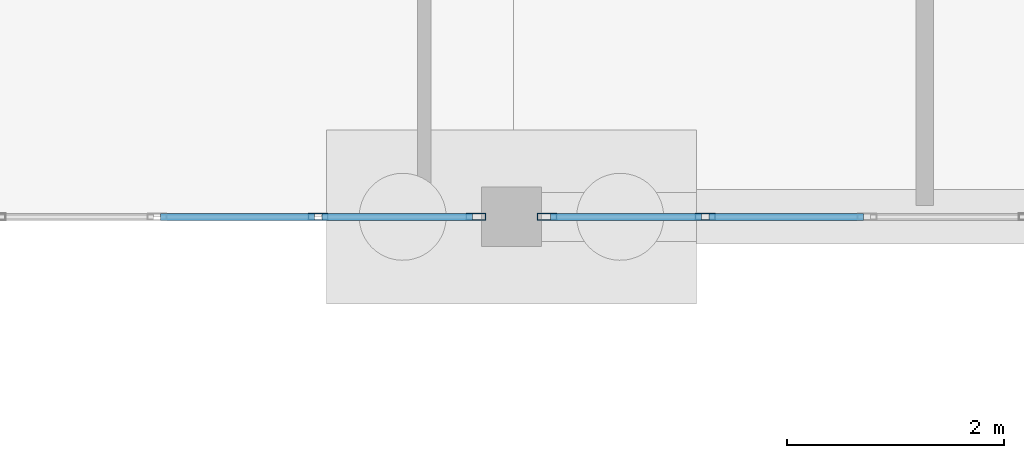
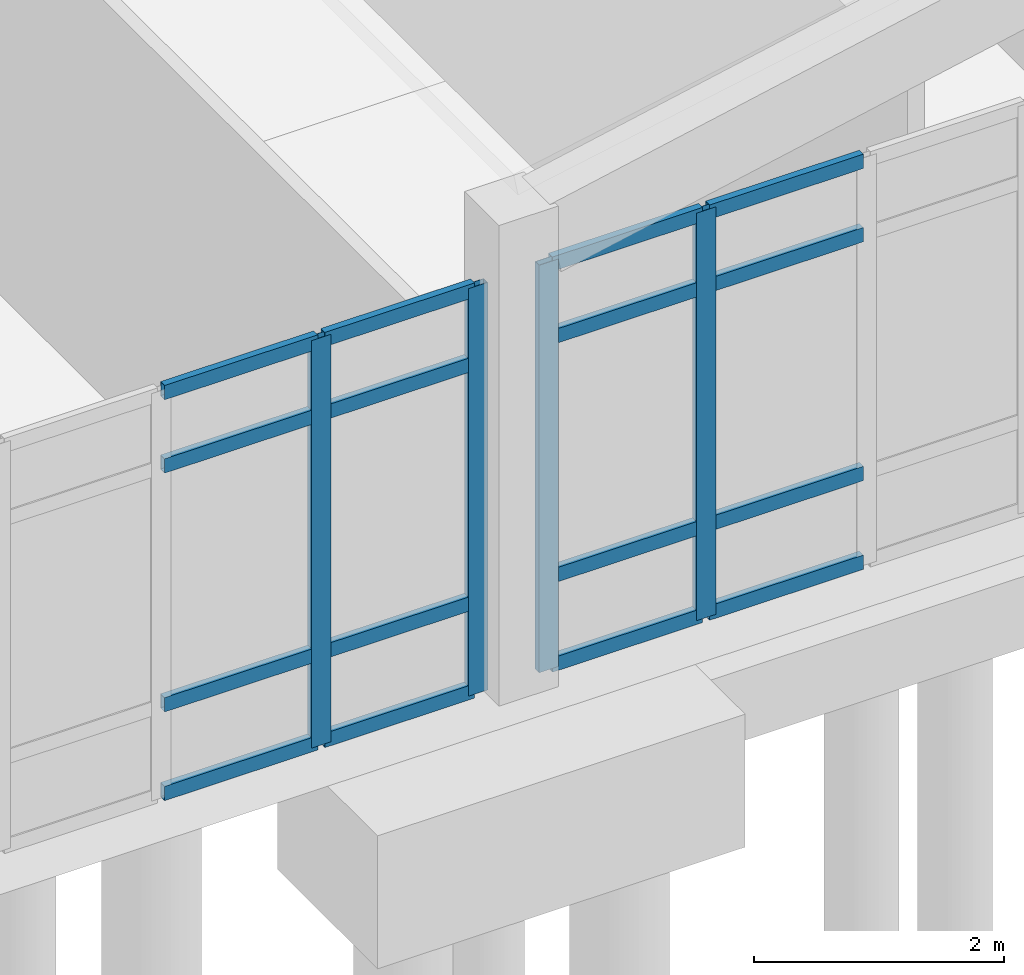
# One storey, part 112 of 173: 20 members, 2 elements without a shape of their own.
"""IFC4 building model written with IfcOpenShell, lengths in metres."""

from ifc_helpers import new_model, si_unit, direction, frame, origin, origin_2d, place, context, subcontext, project, spatial, hollow_rectangle, extrude, material, layer, layer_set, material_profile, profile_set, type_object, element, aggregate, save


model = new_model("IFC4")

# Units and contexts
model_context = context("Model", 3, precision=1e-05, world=origin(), true_north=direction((0.0, 1.0)))
body_context = subcontext(model_context, "Body", "Model", "MODEL_VIEW")
ifc_project = project(units=[si_unit("LENGTHUNIT", "METRE"), si_unit("AREAUNIT", "SQUARE_METRE"), si_unit("VOLUMEUNIT", "CUBIC_METRE"), si_unit("PLANEANGLEUNIT", "RADIAN"), si_unit("MASSUNIT", "GRAM", prefix="KILO")], contexts=[model_context])

# Site, building, storey
site_placement = place(None, origin())
site = spatial("IfcSite", under=ifc_project, at=site_placement, CompositionType="ELEMENT")
building_placement = place(site_placement, origin())
building = spatial("IfcBuilding", under=site, at=building_placement, Name="Mawjan Specialist Oncology Clinic", CompositionType="ELEMENT")
storey_placement = place(building_placement, origin())
storey = spatial("IfcBuildingStorey", under=building, at=storey_placement, Name="L00", CompositionType="ELEMENT", Elevation=0.0)

# Curtain wall, members
ifc_material_1 = material(Name="Unitised spectrally selective aluminium curtain wall", Category="aluminium")
ifc_layer_1 = layer(ifc_material_1, 0.179931640625, Name="Unitised spectrally selective aluminium curtain wall", Category="aluminium")
ifc_layer_set_1 = layer_set([ifc_layer_1], Name="Unitised spectrally selective aluminium curtain wall")
curtain_wall_type_1 = type_object("IfcCurtainWallType", Name="CW-16", PredefinedType="NOTDEFINED", material=ifc_layer_set_1)
curtain_wall_1_placement = place(storey_placement, origin())
curtain_wall_1 = element("IfcCurtainWall", 1, at=curtain_wall_1_placement, inside=storey, type_object=curtain_wall_type_1, Name="L00 Unitised Curtain Wall CW-L00-029", PredefinedType="NOTDEFINED")
ifc_material_2 = material(Name="Thermally broken aluminium 6063-T6", Category="aluminium")
ifc_material_profile_1 = material_profile(ifc_material_2, hollow_rectangle(XDim=0.06494140625, YDim=0.179931640625, WallThickness=0.00390625, at=origin_2d()), Name="ALU MULLION 180x65x4", Category="aluminium")
ifc_profile_set_1 = profile_set([ifc_material_profile_1], Name="Thermally broken aluminium 6063-T6")
member_type_1 = type_object("IfcMemberType", Name="CW-M180", PredefinedType="MULLION", material=ifc_profile_set_1)
member_1_placement = place(storey_placement, frame((157.781982421875, 75.800048828125, 0.0), z_axis=(0.0, 0.0, 1.0), x_axis=(0.0, -1.0, 0.0)))
member_1 = element("IfcMember", 2, at=member_1_placement, type_object=member_type_1, Name="CW-16 mullion 5", PredefinedType="MULLION", context=body_context, shape_type="SweptSolid", body=[
    extrude(hollow_rectangle(XDim=0.06494140625, YDim=0.179931640625, WallThickness=0.00390625, at=origin_2d()), origin(), (0.0, 0.0, 1.0), 3.985107421875),
])
member_2_placement = place(storey_placement, frame((156.327392578125, 75.800048828125, 0.0), z_axis=(0.0, 0.0, 1.0), x_axis=(0.0, -1.0, 0.0)))
member_2 = element("IfcMember", 3, at=member_2_placement, type_object=member_type_1, Name="CW-16 mullion 6", PredefinedType="MULLION", context=body_context, shape_type="SweptSolid", body=[
    extrude(hollow_rectangle(XDim=0.06494140625, YDim=0.179931640625, WallThickness=0.00390625, at=origin_2d()), origin(), (0.0, 0.0, 1.0), 3.985107421875),
])

ifc_material_3 = material(Name="Unitised spectrally selective aluminium curtain wall", Category="aluminium")
ifc_layer_2 = layer(ifc_material_3, 0.179931640625, Name="Unitised spectrally selective aluminium curtain wall", Category="aluminium")
ifc_layer_set_2 = layer_set([ifc_layer_2], Name="Unitised spectrally selective aluminium curtain wall")
curtain_wall_type_2 = type_object("IfcCurtainWallType", Name="CW-17", PredefinedType="NOTDEFINED", material=ifc_layer_set_2)
curtain_wall_2_placement = place(storey_placement, origin())
curtain_wall_2 = element("IfcCurtainWall", 4, at=curtain_wall_2_placement, inside=storey, type_object=curtain_wall_type_2, Name="L00 Unitised Curtain Wall CW-L00-030", PredefinedType="NOTDEFINED")
member_3_placement = place(storey_placement, frame((155.672607421875, 75.800048828125, 0.0), z_axis=(0.0, 0.0, 1.0), x_axis=(0.0, -1.0, 0.0)))
member_3 = element("IfcMember", 5, at=member_3_placement, type_object=member_type_1, Name="CW-17 mullion 1", PredefinedType="MULLION", context=body_context, shape_type="SweptSolid", body=[
    extrude(hollow_rectangle(XDim=0.06494140625, YDim=0.179931640625, WallThickness=0.00390625, at=origin_2d()), origin(), (0.0, 0.0, 1.0), 3.985107421875),
])
member_4_placement = place(storey_placement, frame((154.222900390625, 75.800048828125, 0.0), z_axis=(0.0, 0.0, 1.0), x_axis=(0.0, -1.0, 0.0)))
member_4 = element("IfcMember", 6, at=member_4_placement, type_object=member_type_1, Name="CW-17 mullion 2", PredefinedType="MULLION", context=body_context, shape_type="SweptSolid", body=[
    extrude(hollow_rectangle(XDim=0.06494140625, YDim=0.179931640625, WallThickness=0.00390625, at=origin_2d()), origin(), (0.0, 0.0, 1.0), 3.985107421875),
])

# Member
ifc_material_4 = material(Name="Thermally broken aluminium 6063-T6", Category="aluminium")
ifc_material_profile_2 = material_profile(ifc_material_4, hollow_rectangle(XDim=0.06494140625, YDim=0.139892578125, WallThickness=0.00390625, at=origin_2d()), Name="ALU TRANSOM 140x65x4", Category="aluminium")
ifc_profile_set_2 = profile_set([ifc_material_profile_2], Name="Thermally broken aluminium 6063-T6")
member_type_2 = type_object("IfcMemberType", Name="CW-T140", PredefinedType="USERDEFINED", material=ifc_profile_set_2)
member_5_placement = place(storey_placement, frame((159.236572265625, 75.800048828125, 0.032470703125), z_axis=(-1.0, 0.0, 0.0), x_axis=(0.0, -1.0, 0.0)))
member_5 = element("IfcMember", 7, at=member_5_placement, type_object=member_type_2, Name="CW-16 transom 4.1", ObjectType="TRANSOM", PredefinedType="USERDEFINED", context=body_context, shape_type="SweptSolid", body=[
    extrude(hollow_rectangle(XDim=0.06494140625, YDim=0.139892578125, WallThickness=0.00390625, at=origin_2d()), origin(), (0.0, 0.0, 1.0), 1.422119140625),
])

member_6_placement = place(storey_placement, frame((159.236572265625, 75.800048828125, 0.89990234375), z_axis=(-1.0, 0.0, 0.0), x_axis=(0.0, -1.0, 0.0)))
member_6 = element("IfcMember", 8, at=member_6_placement, type_object=member_type_2, Name="CW-16 transom 4.2", ObjectType="TRANSOM", PredefinedType="USERDEFINED", context=body_context, shape_type="SweptSolid", body=[
    extrude(hollow_rectangle(XDim=0.06494140625, YDim=0.139892578125, WallThickness=0.00390625, at=origin_2d()), origin(), (0.0, 0.0, 1.0), 1.422119140625),
])

member_7_placement = place(storey_placement, frame((159.236572265625, 75.800048828125, 3.235107421875), z_axis=(-1.0, 0.0, 0.0), x_axis=(0.0, -1.0, 0.0)))
member_7 = element("IfcMember", 9, at=member_7_placement, type_object=member_type_2, Name="CW-16 transom 4.3", ObjectType="TRANSOM", PredefinedType="USERDEFINED", context=body_context, shape_type="SweptSolid", body=[
    extrude(hollow_rectangle(XDim=0.06494140625, YDim=0.139892578125, WallThickness=0.00390625, at=origin_2d()), origin(), (0.0, 0.0, 1.0), 1.422119140625),
])

member_8_placement = place(storey_placement, frame((159.236572265625, 75.800048828125, 3.952392578125), z_axis=(-1.0, 0.0, 0.0), x_axis=(0.0, -1.0, 0.0)))
member_8 = element("IfcMember", 10, at=member_8_placement, type_object=member_type_2, Name="CW-16 transom 4.4", ObjectType="TRANSOM", PredefinedType="USERDEFINED", context=body_context, shape_type="SweptSolid", body=[
    extrude(hollow_rectangle(XDim=0.06494140625, YDim=0.139892578125, WallThickness=0.00390625, at=origin_2d()), origin(), (0.0, 0.0, 1.0), 1.422119140625),
])

member_9_placement = place(storey_placement, frame((157.74951171875, 75.800048828125, 0.032470703125), z_axis=(-1.0, 0.0, 0.0), x_axis=(0.0, -1.0, 0.0)))
member_9 = element("IfcMember", 11, at=member_9_placement, type_object=member_type_2, Name="CW-16 transom 5.1", ObjectType="TRANSOM", PredefinedType="USERDEFINED", context=body_context, shape_type="SweptSolid", body=[
    extrude(hollow_rectangle(XDim=0.06494140625, YDim=0.139892578125, WallThickness=0.00390625, at=origin_2d()), origin(), (0.0, 0.0, 1.0), 1.389404296875),
])

member_10_placement = place(storey_placement, frame((157.74951171875, 75.800048828125, 0.89990234375), z_axis=(-1.0, 0.0, 0.0), x_axis=(0.0, -1.0, 0.0)))
member_10 = element("IfcMember", 12, at=member_10_placement, type_object=member_type_2, Name="CW-16 transom 5.2", ObjectType="TRANSOM", PredefinedType="USERDEFINED", context=body_context, shape_type="SweptSolid", body=[
    extrude(hollow_rectangle(XDim=0.06494140625, YDim=0.139892578125, WallThickness=0.00390625, at=origin_2d()), origin(), (0.0, 0.0, 1.0), 1.389404296875),
])

member_11_placement = place(storey_placement, frame((157.74951171875, 75.800048828125, 3.235107421875), z_axis=(-1.0, 0.0, 0.0), x_axis=(0.0, -1.0, 0.0)))
member_11 = element("IfcMember", 13, at=member_11_placement, type_object=member_type_2, Name="CW-16 transom 5.3", ObjectType="TRANSOM", PredefinedType="USERDEFINED", context=body_context, shape_type="SweptSolid", body=[
    extrude(hollow_rectangle(XDim=0.06494140625, YDim=0.139892578125, WallThickness=0.00390625, at=origin_2d()), origin(), (0.0, 0.0, 1.0), 1.389404296875),
])

member_12_placement = place(storey_placement, frame((157.74951171875, 75.800048828125, 3.952392578125), z_axis=(-1.0, 0.0, 0.0), x_axis=(0.0, -1.0, 0.0)))
member_12 = element("IfcMember", 14, at=member_12_placement, type_object=member_type_2, Name="CW-16 transom 5.4", ObjectType="TRANSOM", PredefinedType="USERDEFINED", context=body_context, shape_type="SweptSolid", body=[
    extrude(hollow_rectangle(XDim=0.06494140625, YDim=0.139892578125, WallThickness=0.00390625, at=origin_2d()), origin(), (0.0, 0.0, 1.0), 1.389404296875),
])

aggregate(curtain_wall_1, [member_1, member_2, member_5, member_6, member_7, member_8, member_9, member_10, member_11, member_12])

member_13_placement = place(storey_placement, frame((155.639892578125, 75.800048828125, 0.032470703125), z_axis=(-1.0, 0.0, 0.0), x_axis=(0.0, -1.0, 0.0)))
member_13 = element("IfcMember", 15, at=member_13_placement, type_object=member_type_2, Name="CW-17 transom 1.1", ObjectType="TRANSOM", PredefinedType="USERDEFINED", context=body_context, shape_type="SweptSolid", body=[
    extrude(hollow_rectangle(XDim=0.06494140625, YDim=0.139892578125, WallThickness=0.00390625, at=origin_2d()), origin(), (0.0, 0.0, 1.0), 1.38427734375),
])

member_14_placement = place(storey_placement, frame((155.639892578125, 75.800048828125, 0.89990234375), z_axis=(-1.0, 0.0, 0.0), x_axis=(0.0, -1.0, 0.0)))
member_14 = element("IfcMember", 16, at=member_14_placement, type_object=member_type_2, Name="CW-17 transom 1.2", ObjectType="TRANSOM", PredefinedType="USERDEFINED", context=body_context, shape_type="SweptSolid", body=[
    extrude(hollow_rectangle(XDim=0.06494140625, YDim=0.139892578125, WallThickness=0.00390625, at=origin_2d()), origin(), (0.0, 0.0, 1.0), 1.38427734375),
])

member_15_placement = place(storey_placement, frame((155.639892578125, 75.800048828125, 3.235107421875), z_axis=(-1.0, 0.0, 0.0), x_axis=(0.0, -1.0, 0.0)))
member_15 = element("IfcMember", 17, at=member_15_placement, type_object=member_type_2, Name="CW-17 transom 1.3", ObjectType="TRANSOM", PredefinedType="USERDEFINED", context=body_context, shape_type="SweptSolid", body=[
    extrude(hollow_rectangle(XDim=0.06494140625, YDim=0.139892578125, WallThickness=0.00390625, at=origin_2d()), origin(), (0.0, 0.0, 1.0), 1.38427734375),
])

member_16_placement = place(storey_placement, frame((155.639892578125, 75.800048828125, 3.952392578125), z_axis=(-1.0, 0.0, 0.0), x_axis=(0.0, -1.0, 0.0)))
member_16 = element("IfcMember", 18, at=member_16_placement, type_object=member_type_2, Name="CW-17 transom 1.4", ObjectType="TRANSOM", PredefinedType="USERDEFINED", context=body_context, shape_type="SweptSolid", body=[
    extrude(hollow_rectangle(XDim=0.06494140625, YDim=0.139892578125, WallThickness=0.00390625, at=origin_2d()), origin(), (0.0, 0.0, 1.0), 1.38427734375),
])

member_17_placement = place(storey_placement, frame((154.1904296875, 75.800048828125, 0.032470703125), z_axis=(-1.0, 0.0, 0.0), x_axis=(0.0, -1.0, 0.0)))
member_17 = element("IfcMember", 19, at=member_17_placement, type_object=member_type_2, Name="CW-17 transom 2.1", ObjectType="TRANSOM", PredefinedType="USERDEFINED", context=body_context, shape_type="SweptSolid", body=[
    extrude(hollow_rectangle(XDim=0.06494140625, YDim=0.139892578125, WallThickness=0.00390625, at=origin_2d()), origin(), (0.0, 0.0, 1.0), 1.4169921875),
])

member_18_placement = place(storey_placement, frame((154.1904296875, 75.800048828125, 0.89990234375), z_axis=(-1.0, 0.0, 0.0), x_axis=(0.0, -1.0, 0.0)))
member_18 = element("IfcMember", 20, at=member_18_placement, type_object=member_type_2, Name="CW-17 transom 2.2", ObjectType="TRANSOM", PredefinedType="USERDEFINED", context=body_context, shape_type="SweptSolid", body=[
    extrude(hollow_rectangle(XDim=0.06494140625, YDim=0.139892578125, WallThickness=0.00390625, at=origin_2d()), origin(), (0.0, 0.0, 1.0), 1.4169921875),
])

member_19_placement = place(storey_placement, frame((154.1904296875, 75.800048828125, 3.235107421875), z_axis=(-1.0, 0.0, 0.0), x_axis=(0.0, -1.0, 0.0)))
member_19 = element("IfcMember", 21, at=member_19_placement, type_object=member_type_2, Name="CW-17 transom 2.3", ObjectType="TRANSOM", PredefinedType="USERDEFINED", context=body_context, shape_type="SweptSolid", body=[
    extrude(hollow_rectangle(XDim=0.06494140625, YDim=0.139892578125, WallThickness=0.00390625, at=origin_2d()), origin(), (0.0, 0.0, 1.0), 1.4169921875),
])

member_20_placement = place(storey_placement, frame((154.1904296875, 75.800048828125, 3.952392578125), z_axis=(-1.0, 0.0, 0.0), x_axis=(0.0, -1.0, 0.0)))
member_20 = element("IfcMember", 22, at=member_20_placement, type_object=member_type_2, Name="CW-17 transom 2.4", ObjectType="TRANSOM", PredefinedType="USERDEFINED", context=body_context, shape_type="SweptSolid", body=[
    extrude(hollow_rectangle(XDim=0.06494140625, YDim=0.139892578125, WallThickness=0.00390625, at=origin_2d()), origin(), (0.0, 0.0, 1.0), 1.4169921875),
])

aggregate(curtain_wall_2, [member_3, member_4, member_13, member_14, member_15, member_16, member_17, member_18, member_19, member_20])

save(model, "model.ifc")
